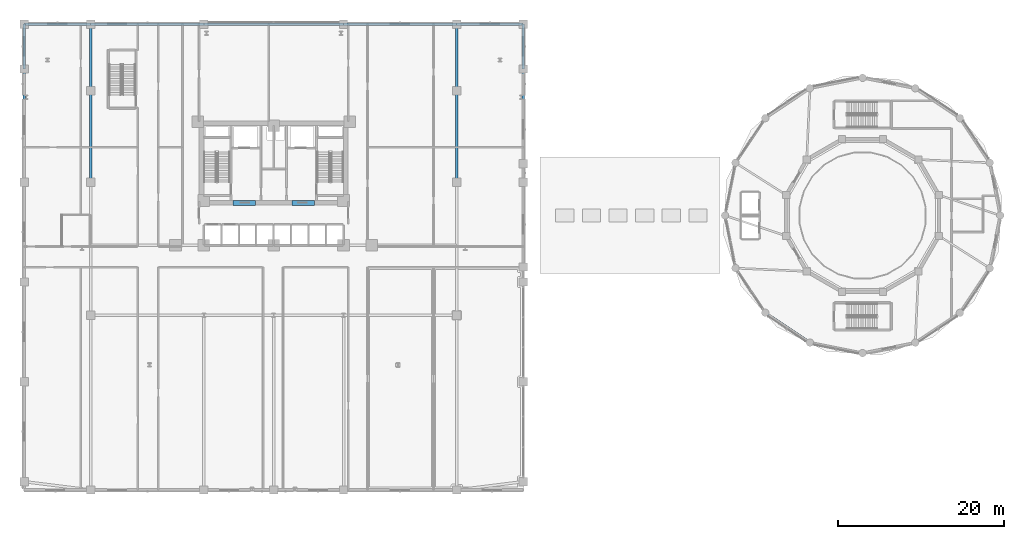
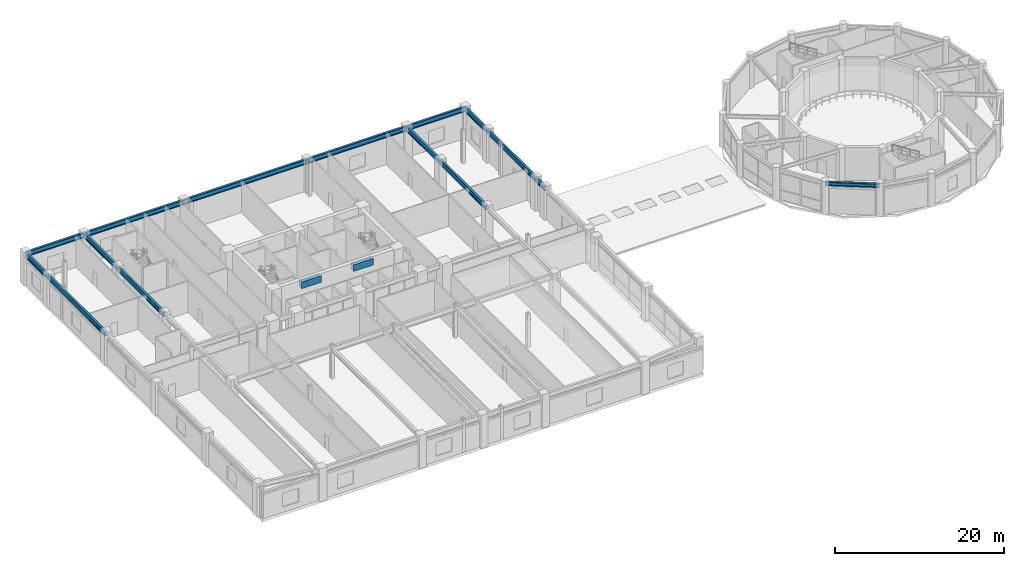
# One storey, part 9 of 34: 14 beams.
"""IFC4 building model written with IfcOpenShell, lengths in metres."""

from ifc_helpers import new_model, si_unit, derived_unit, direction, frame, origin, origin_2d, place, context, subcontext, project, spatial, rectangle, i_section, extrude, source, transform, mapped, material, material_profile, profile_set, type_object, element, save


model = new_model("IFC4")

# Units and contexts
model_context = context("Model", 3, precision=1e-05, world=origin(), true_north=direction((0.0, 1.0)))
body_context = subcontext(model_context, "Body", "Model", "MODEL_VIEW")
ifc_project = project(units=[si_unit("LENGTHUNIT", "METRE"), si_unit("AREAUNIT", "SQUARE_METRE"), si_unit("VOLUMEUNIT", "CUBIC_METRE"), si_unit("PLANEANGLEUNIT", "RADIAN"), si_unit("MASSUNIT", "GRAM", prefix="KILO"), derived_unit("THERMALTRANSMITTANCEUNIT", [(si_unit("POWERUNIT", "WATT"), 1), (si_unit("LENGTHUNIT", "METRE"), -2), (si_unit("THERMODYNAMICTEMPERATUREUNIT", "KELVIN"), -1)])], contexts=[model_context])

# Site, building, storey
site_placement = place(None, origin())
site = spatial("IfcSite", under=ifc_project, at=site_placement, CompositionType="ELEMENT")
building_placement = place(site_placement, origin())
building = spatial("IfcBuilding", under=site, at=building_placement, Name="Korsvarv Bourse and Concert Hall", CompositionType="ELEMENT")
storey_placement = place(building_placement, frame((0.0, 0.0, 14.39990234375)))
storey = spatial("IfcBuildingStorey", under=building, at=storey_placement, Name="L03", CompositionType="ELEMENT", Elevation=14.39990234375)

# Beams
ifc_material_1 = material(Name="Concrete C55/67", Category="concrete")
ifc_material_profile_1 = material_profile(ifc_material_1, rectangle(XDim=0.60009765625, YDim=0.949951171875, at=origin_2d()), Name="RC-BM 600x950")
ifc_profile_set_1 = profile_set([ifc_material_profile_1], Name="Concrete C55/67")
beam_type_1 = type_object("IfcBeamType", Name="BM-CPL", PredefinedType="LINTEL", material=ifc_profile_set_1)
shared_shape_1 = source(origin(), body_context, "Body", "SweptSolid", [
    extrude(rectangle(XDim=0.60009765625, YDim=0.949951171875, at=origin_2d()), origin(), (0.0, 0.0, 1.0), 2.699951171875),
])
for number, where, z_axis, x_axis, name in (
    (1, (31.10009765625, 37.52490234375, 4.045166015625), (1.0, 0.0, 0.0), (0.0, 1.0, 0.0), "L03 Core Coupling Beam West"),
    (2, (38.199951171875, 37.52490234375, 4.045166015625), (1.0, 0.0, 0.0), (0.0, 1.0, 0.0), "L03 Core Coupling Beam East"),
):
    element("IfcBeam", number, at=place(storey_placement, frame(where, z_axis=z_axis, x_axis=x_axis)), inside=storey, type_object=beam_type_1, Name=name, PredefinedType="LINTEL", context=body_context, shape_type="MappedRepresentation", body=[
        mapped(shared_shape_1, transform((0.0, 0.0, 0.0), scale=1.0)),
    ])
ifc_material_2 = material(Name="Steel S355", Category="steel")
ifc_material_profile_2 = material_profile(ifc_material_2, i_section(OverallWidth=0.300048828125, OverallDepth=0.699951171875, WebThickness=0.01708984375, FlangeThickness=0.031982421875, FilletRadius=0.027099609375, at=origin_2d()), Name="HEB 700")
ifc_profile_set_2 = profile_set([ifc_material_profile_2], Name="Steel S355")
beam_type_2 = type_object("IfcBeamType", Name="BM-HEB700", PredefinedType="BEAM", material=ifc_profile_set_2)
shared_shape_2 = source(origin(), body_context, "Body", "SweptSolid", [
    extrude(i_section(OverallWidth=0.300048828125, OverallDepth=0.699951171875, WebThickness=0.01708984375, FlangeThickness=0.031982421875, FilletRadius=0.027099609375, at=origin_2d()), origin(), (0.0, 0.0, 1.0), 13.60009765625),
])
for number, where, z_axis, x_axis, name in (
    (3, (6.0, 40.0, 4.170166015625), (0.0, 1.0, 0.0), (-1.0, 0.0, 0.0), "L03 beam B-03"),
    (4, (66.0, 40.0, 4.170166015625), (0.0, 1.0, 0.0), (-1.0, 0.0, 0.0), "L03 beam B-03"),
    (5, (14.0, 59.0, 4.170166015625), (1.0, 0.0, 0.0), (0.0, 1.0, 0.0), "L03 beam B-03"),
    (6, (44.39990234375, 59.0, 4.170166015625), (1.0, 0.0, 0.0), (0.0, 1.0, 0.0), "L03 beam B-03"),
):
    element("IfcBeam", number, at=place(storey_placement, frame(where, z_axis=z_axis, x_axis=x_axis)), inside=storey, type_object=beam_type_2, Name=name, PredefinedType="BEAM", context=body_context, shape_type="MappedRepresentation", body=[
        mapped(shared_shape_2, transform((0.0, 0.0, 0.0), scale=1.0)),
    ])
shared_shape_3 = source(origin(), body_context, "Body", "SweptSolid", [
    extrude(i_section(OverallWidth=0.300048828125, OverallDepth=0.699951171875, WebThickness=0.01708984375, FlangeThickness=0.031982421875, FilletRadius=0.027099609375, at=origin_2d()), origin(), (0.0, 0.0, 1.0), 5.39990234375),
])
for number, where, z_axis, x_axis, name in (
    (7, (6.0, 53.60009765625, 4.170166015625), (0.0, 1.0, 0.0), (-1.0, 0.0, 0.0), "L03 beam B-03"),
    (8, (66.0, 53.60009765625, 4.170166015625), (0.0, 1.0, 0.0), (-1.0, 0.0, 0.0), "L03 beam B-03"),
):
    element("IfcBeam", number, at=place(storey_placement, frame(where, z_axis=z_axis, x_axis=x_axis)), inside=storey, type_object=beam_type_2, Name=name, PredefinedType="BEAM", context=body_context, shape_type="MappedRepresentation", body=[
        mapped(shared_shape_3, transform((0.0, 0.0, 0.0), scale=1.0)),
    ])
shared_shape_4 = source(origin(), body_context, "Body", "SweptSolid", [
    extrude(i_section(OverallWidth=0.300048828125, OverallDepth=0.699951171875, WebThickness=0.01708984375, FlangeThickness=0.031982421875, FilletRadius=0.027099609375, at=origin_2d()), origin(), (0.0, 0.0, 1.0), 8.0),
])
for number, where, z_axis, x_axis, name in (
    (9, (6.0, 59.0, 4.170166015625), (1.0, 0.0, 0.0), (0.0, 1.0, 0.0), "L03 beam B-03"),
    (10, (58.0, 59.0, 4.170166015625), (1.0, 0.0, 0.0), (0.0, 1.0, 0.0), "L03 beam B-03"),
):
    element("IfcBeam", number, at=place(storey_placement, frame(where, z_axis=z_axis, x_axis=x_axis)), inside=storey, type_object=beam_type_2, Name=name, PredefinedType="BEAM", context=body_context, shape_type="MappedRepresentation", body=[
        mapped(shared_shape_4, transform((0.0, 0.0, 0.0), scale=1.0)),
    ])
shared_shape_5 = source(origin(), body_context, "Body", "SweptSolid", [
    extrude(i_section(OverallWidth=0.300048828125, OverallDepth=0.699951171875, WebThickness=0.01708984375, FlangeThickness=0.031982421875, FilletRadius=0.027099609375, at=origin_2d()), origin(), (0.0, 0.0, 1.0), 16.7998046875),
])
beam_1_placement = place(storey_placement, frame((27.60009765625, 59.0, 4.170166015625), z_axis=(1.0, 0.0, 0.0), x_axis=(0.0, 1.0, 0.0)))
element("IfcBeam", 11, at=beam_1_placement, inside=storey, type_object=beam_type_2, Name="L03 beam B-03", PredefinedType="BEAM", context=body_context, shape_type="MappedRepresentation", body=[
    mapped(shared_shape_5, transform((0.0, 0.0, 0.0), scale=1.0)),
])
shared_shape_6 = source(origin(), body_context, "Body", "SweptSolid", [
    extrude(i_section(OverallWidth=0.300048828125, OverallDepth=0.699951171875, WebThickness=0.01708984375, FlangeThickness=0.031982421875, FilletRadius=0.027099609375, at=origin_2d()), origin(), (0.0, 0.0, 1.0), 19.0),
])
for number, where, z_axis, x_axis, name in (
    (12, (14.0, 40.0, 4.170166015625), (0.0, 1.0, 0.0), (-1.0, 0.0, 0.0), "L03 beam B-03"),
    (13, (58.0, 40.0, 4.170166015625), (0.0, 1.0, 0.0), (-1.0, 0.0, 0.0), "L03 beam B-03"),
):
    element("IfcBeam", number, at=place(storey_placement, frame(where, z_axis=z_axis, x_axis=x_axis)), inside=storey, type_object=beam_type_2, Name=name, PredefinedType="BEAM", context=body_context, shape_type="MappedRepresentation", body=[
        mapped(shared_shape_6, transform((0.0, 0.0, 0.0), scale=1.0)),
    ])
ifc_material_profile_3 = material_profile(ifc_material_2, i_section(OverallWidth=0.300048828125, OverallDepth=0.550048828125, WebThickness=0.014892578125, FlangeThickness=0.029052734375, FilletRadius=0.02392578125, at=origin_2d()), Name="HEB 550")
ifc_profile_set_3 = profile_set([ifc_material_profile_3], Name="Steel S355")
beam_type_3 = type_object("IfcBeamType", Name="BM-HEB550", PredefinedType="BEAM", material=ifc_profile_set_3)
shared_shape_7 = source(origin(), body_context, "Body", "SweptSolid", [
    extrude(i_section(OverallWidth=0.300048828125, OverallDepth=0.550048828125, WebThickness=0.014892578125, FlangeThickness=0.029052734375, FilletRadius=0.02392578125, at=origin_2d()), origin(), (0.0, 0.0, 1.0), 6.45751953125),
])
beam_2_placement = place(storey_placement, frame((95.097412109375, 24.29736328125, 4.22509765625), z_axis=(0.83146235745, -0.55558109052, 0.0), x_axis=(0.55558109052, 0.83146235745, 0.0)))
element("IfcBeam", 14, at=beam_2_placement, inside=storey, type_object=beam_type_3, Name="L03 beam B-06", PredefinedType="BEAM", context=body_context, shape_type="MappedRepresentation", body=[
    mapped(shared_shape_7, transform((0.0, 0.0, 0.0), scale=1.0)),
])

save(model, "model.ifc")
